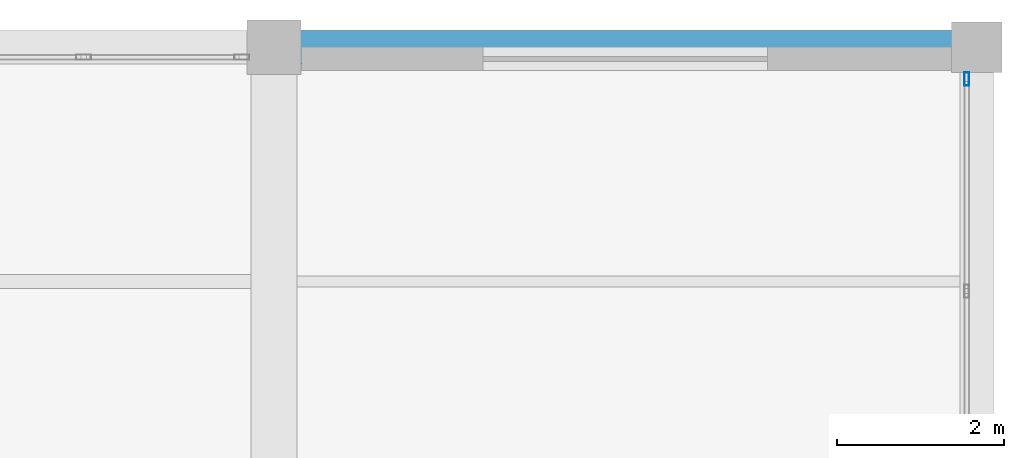
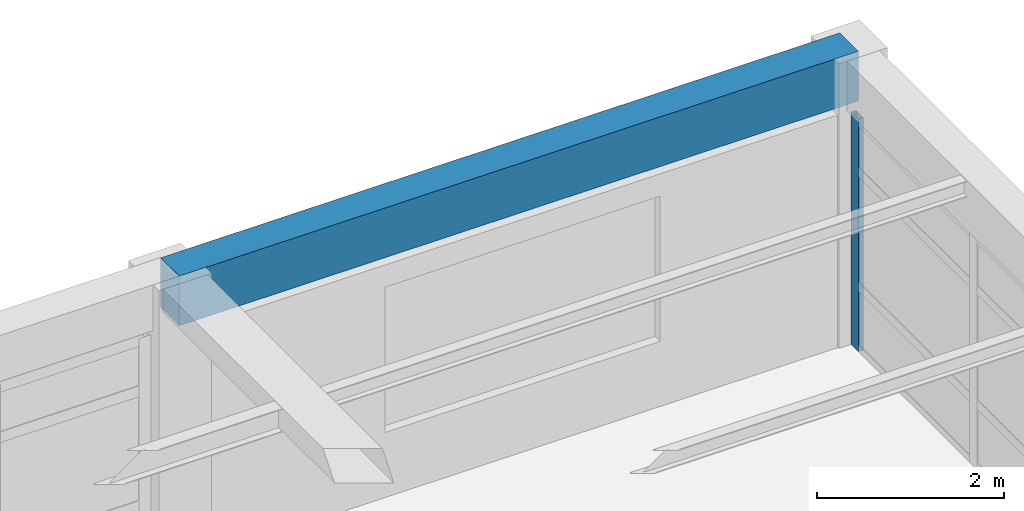
# One storey, part 20 of 25: 1 beam, 1 member, 1 element without a shape of its own.
"""IFC4 building model written with IfcOpenShell, lengths in metres."""

from ifc_helpers import new_model, si_unit, direction, frame, origin, origin_2d, place, context, subcontext, project, spatial, rectangle, hollow_rectangle, extrude, material, material_profile, profile_set, type_object, element, aggregate, save


model = new_model("IFC4")

# Units and contexts
model_context = context("Model", 3, precision=1e-05, world=origin(), true_north=direction((0.0, 1.0)))
body_context = subcontext(model_context, "Body", "Model", "MODEL_VIEW")
ifc_project = project(units=[si_unit("LENGTHUNIT", "METRE"), si_unit("AREAUNIT", "SQUARE_METRE"), si_unit("VOLUMEUNIT", "CUBIC_METRE"), si_unit("PLANEANGLEUNIT", "RADIAN"), si_unit("MASSUNIT", "GRAM", prefix="KILO")], contexts=[model_context])

# Site, building, storey
site_placement = place(None, origin())
site = spatial("IfcSite", under=ifc_project, at=site_placement, CompositionType="ELEMENT")
building_placement = place(site_placement, origin())
building = spatial("IfcBuilding", under=site, at=building_placement, Name="Almacenes y Pasaje Nevantli", CompositionType="ELEMENT")
storey_placement = place(building_placement, frame((0.0, 0.0, 50.699951171875)))
storey = spatial("IfcBuildingStorey", under=building, at=storey_placement, Name="L12", CompositionType="ELEMENT", Elevation=50.699951171875)

# Beam
ifc_material_1 = material(Name="Concrete C35/45", Category="concrete")
ifc_material_profile_1 = material_profile(ifc_material_1, rectangle(XDim=0.39990234375, YDim=0.64990234375, at=origin_2d()), Name="RC-BM-400x650")
ifc_profile_set_1 = profile_set([ifc_material_profile_1], Name="Concrete C35/45")
beam_type = type_object("IfcBeamType", Name="BM-RC-400x650", PredefinedType="SPANDREL", material=ifc_profile_set_1)
beam_placement = place(storey_placement, frame((151.199951171875, 100.800048828125, 3.39501953125), z_axis=(1.0, 0.0, 0.0), x_axis=(0.0, 1.0, 0.0)))
element("IfcBeam", 1, at=beam_placement, inside=storey, type_object=beam_type, Name="L12 East-West Reinforced Concrete Beam #3915", PredefinedType="SPANDREL", context=body_context, shape_type="SweptSolid", body=[
    extrude(rectangle(XDim=0.39990234375, YDim=0.64990234375, at=origin_2d()), origin(), (0.0, 0.0, 1.0), 8.400146484375),
])

# Curtain wall, member
ifc_material_2 = material(Name="Thermally Broken Aluminium and Low-E Glass", Category="aluminium")
curtain_wall_type = type_object("IfcCurtainWallType", Name="CW-UNIT-TOWER", PredefinedType="USERDEFINED", material=ifc_material_2)
curtain_wall_placement = place(storey_placement, origin())
curtain_wall = element("IfcCurtainWall", 2, at=curtain_wall_placement, inside=storey, type_object=curtain_wall_type, Name="L12 Tower East Curtain Wall Bay 12", ObjectType="UNITIZED CURTAIN WALL", PredefinedType="USERDEFINED")
ifc_material_3 = material(Name="Thermally Broken Anodized Aluminium", Category="aluminium")
ifc_material_profile_2 = material_profile(ifc_material_3, hollow_rectangle(XDim=0.06005859375, YDim=0.159912109375, WallThickness=0.00390625, at=origin_2d()), Name="ALU-MUL-60x160")
ifc_profile_set_2 = profile_set([ifc_material_profile_2], Name="Thermally Broken Anodized Aluminium")
member_type = type_object("IfcMemberType", Name="CW-MUL-180", PredefinedType="MULLION", material=ifc_profile_set_2)
member_placement = place(storey_placement, frame((159.47998046875, 100.419921875, 0.0), z_axis=(0.0, 0.0, 1.0), x_axis=(-1.0, 0.0, 0.0)))
member = element("IfcMember", 3, at=member_placement, type_object=member_type, Name="CW-L12-167 mullion 4", PredefinedType="MULLION", context=body_context, shape_type="SweptSolid", body=[
    extrude(hollow_rectangle(XDim=0.06005859375, YDim=0.159912109375, WallThickness=0.00390625, at=origin_2d()), origin(), (0.0, 0.0, 1.0), 3.0400390625),
])
aggregate(curtain_wall, [member])

save(model, "model.ifc")
